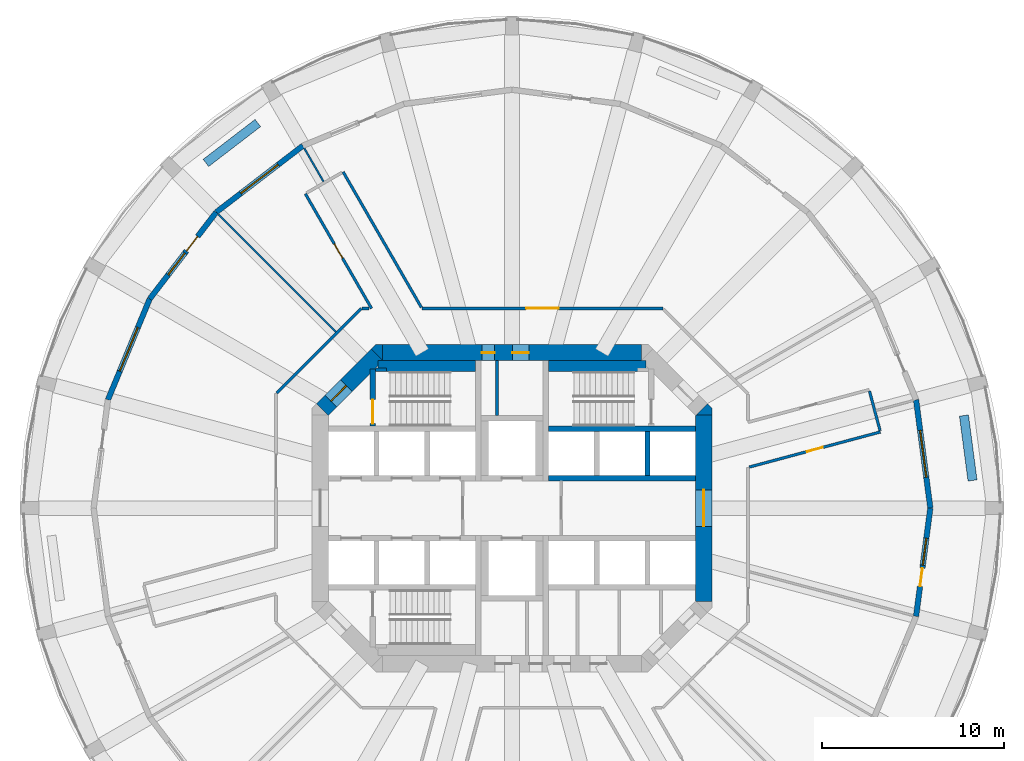
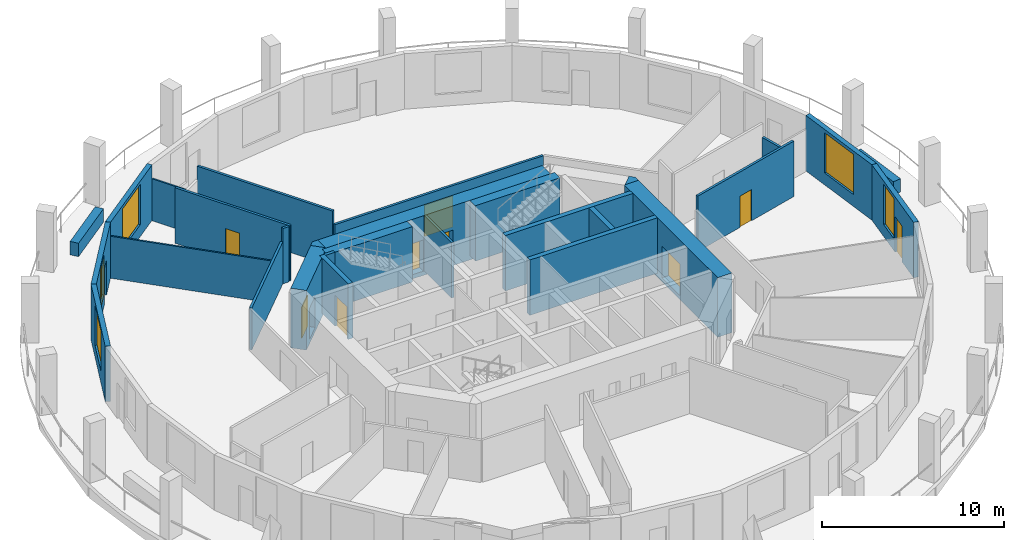
# One storey, part 5 of 9: 29 walls, 10 doors, 5 windows, 15 openings.
"""IFC4 building model written with IfcOpenShell, lengths in metres."""

import ifcopenshell
import ifcopenshell.guid

model = None  # the IFC model being written
_history = None  # IfcOwnerHistory: only IFC2X3 demands one
_inside = {}  # id of a spatial element -> (the spatial element, [elements in it])
_under = {}  # id of a project, library or spatial element -> (it, [spatial elements below it])
_declared = {}  # id of a project -> (the project, [libraries it declares])
_typed = {}  # id of a type object -> (the type object, [elements of that type])
_made_of = {}  # id of a material, layer set ... -> (it, [elements and type objects made of it])


def new_model(schema):
    """Start an empty IFC model of exactly this schema.

    Asked for "IFC4X3", IfcOpenShell would pick the latest addendum, in which some entities
    have other attributes; the version numbers below select the first issue.
    IFC2X3 requires an IfcOwnerHistory on every rooted entity: one is made here for all.
    """
    global model, _history
    if schema == "IFC4X3":
        model = ifcopenshell.file(schema_version=(4, 3, 0, 0))
    else:
        model = ifcopenshell.file(schema=schema)
    _inside.clear()
    _under.clear()
    _declared.clear()
    _typed.clear()
    _made_of.clear()
    _history = None
    if model.schema == "IFC2X3":
        org = make("IfcOrganization", Name="unknown")
        user = make(
            "IfcPersonAndOrganization",
            ThePerson=make("IfcPerson", FamilyName="unknown"),
            TheOrganization=org,
        )
        app = make(
            "IfcApplication",
            ApplicationDeveloper=org,
            Version="unknown",
            ApplicationFullName="unknown",
            ApplicationIdentifier="unknown",
        )
        _history = make(
            "IfcOwnerHistory",
            OwningUser=user,
            OwningApplication=app,
            ChangeAction="ADDED",
            CreationDate=0,
        )
    return model


def make(cls, **values):
    """One entity of the class cls with the attributes given. An attribute that is None is left unset."""
    return model.create_entity(
        cls, **{name: value for name, value in values.items() if value is not None}
    )


def rooted(cls, **values):
    """An entity with a GlobalId (a new one), such as an element, a storey or a relation."""
    return make(cls, GlobalId=ifcopenshell.guid.new(), OwnerHistory=_history, **values)


def si_unit(unit_type, name, prefix=None):
    """IfcSIUnit, for example si_unit("LENGTHUNIT", "METRE", prefix="MILLI")."""
    return make("IfcSIUnit", UnitType=unit_type, Prefix=prefix, Name=name)


def assignment(units):
    """IfcUnitAssignment: the units of a project."""
    return None if units is None else make("IfcUnitAssignment", Units=units)


def point(xyz):
    """IfcCartesianPoint."""
    return None if xyz is None else make("IfcCartesianPoint", Coordinates=xyz)


def direction(xyz):
    """IfcDirection."""
    return None if xyz is None else make("IfcDirection", DirectionRatios=xyz)


def frame(location, z_axis=None, x_axis=None):
    """IfcAxis2Placement3D, a coordinate frame: its origin and axes. An axis left out is left unset."""
    return make(
        "IfcAxis2Placement3D",
        Location=point(location),
        Axis=direction(z_axis),
        RefDirection=direction(x_axis),
    )


def frame_2d(location, x_axis=None):
    """IfcAxis2Placement2D, a coordinate frame in the plane: its origin and x axis."""
    return make(
        "IfcAxis2Placement2D", Location=point(location), RefDirection=direction(x_axis)
    )


def origin():
    """The frame at (0, 0, 0) with its axes left unset."""
    return frame((0.0, 0.0, 0.0))


def place(relative_to, where):
    """IfcLocalPlacement: puts the frame where relative to a parent placement (None: the world)."""
    return make(
        "IfcLocalPlacement", PlacementRelTo=relative_to, RelativePlacement=where
    )


def context(
    kind, dimensions, precision=None, world=None, true_north=None, identifier=None
):
    """IfcGeometricRepresentationContext, for example the 3D "Model" context."""
    return make(
        "IfcGeometricRepresentationContext",
        ContextIdentifier=identifier,
        ContextType=kind,
        CoordinateSpaceDimension=dimensions,
        Precision=precision,
        WorldCoordinateSystem=world,
        TrueNorth=true_north,
    )


def subcontext(parent, identifier, kind, view, scale=None):
    """IfcGeometricRepresentationSubContext, for example "Body" below "Model"."""
    return make(
        "IfcGeometricRepresentationSubContext",
        ContextIdentifier=identifier,
        ContextType=kind,
        ParentContext=parent,
        TargetScale=scale,
        TargetView=view,
    )


def project(units=None, contexts=None):
    """IfcProject with its units and contexts."""
    return rooted(
        "IfcProject",
        Name="project",
        RepresentationContexts=contexts,
        UnitsInContext=assignment(units),
    )


def spatial(cls, under=None, at=None, **own):
    """A site, building, storey or space (cls), placed at a placement, below another one or the project."""
    s = rooted(cls, ObjectPlacement=at, **own)
    if under is not None:
        _under.setdefault(under.id(), (under, []))[1].append(s)
    return s


def polyline(points):
    """IfcPolyline through the points."""
    return make("IfcPolyline", Points=[point(p) for p in points])


def profile(cls, at=None, kind="AREA", **sizes):
    """A parametric profile (cls). Its sizes go by their IFC names, for example OverallWidth=200.0."""
    return make(cls, ProfileType=kind, Position=at, **sizes)


def rectangle(**sizes):
    """IfcRectangleProfileDef."""
    return profile("IfcRectangleProfileDef", **sizes)


def outline(outer, holes=None, kind="AREA"):
    """IfcArbitraryClosedProfileDef: a profile drawn as a closed curve; with holes, ...WithVoids."""
    if holes is None:
        return make("IfcArbitraryClosedProfileDef", ProfileType=kind, OuterCurve=outer)
    return make(
        "IfcArbitraryProfileDefWithVoids",
        ProfileType=kind,
        OuterCurve=outer,
        InnerCurves=holes,
    )


def extrude(swept, where, along, depth):
    """IfcExtrudedAreaSolid: the profile swept, set in the frame where, extruded along a direction by depth."""
    return make(
        "IfcExtrudedAreaSolid",
        SweptArea=swept,
        Position=where,
        ExtrudedDirection=direction(along),
        Depth=depth,
    )


def shape(context_of_items, identifier, shape_type, items):
    """IfcShapeRepresentation: the items that make up one representation, for example the "Body"."""
    return make(
        "IfcShapeRepresentation",
        ContextOfItems=context_of_items,
        RepresentationIdentifier=identifier,
        RepresentationType=shape_type,
        Items=items,
    )


def material(Name=None, Category=None):
    """IfcMaterial."""
    return make("IfcMaterial", Name=Name, Category=Category)


def layer(
    of_material, thickness, ventilated=None, Name=None, Category=None, Priority=None
):
    """IfcMaterialLayer: one layer of a wall or slab, of a material (None: an air gap)."""
    return make(
        "IfcMaterialLayer",
        Material=of_material,
        LayerThickness=thickness,
        IsVentilated=ventilated,
        Name=Name,
        Category=Category,
        Priority=Priority,
    )


def layer_set(layers, Name=None):
    """IfcMaterialLayerSet."""
    return make("IfcMaterialLayerSet", MaterialLayers=layers, LayerSetName=Name)


def made_of(thing, what):
    """Note that an element or type object is made of a material, layer set ...; save() writes the relation."""
    if what is not None:
        _made_of.setdefault(what.id(), (what, []))[1].append(thing)
    return thing


def type_object(cls, material=None, **own):
    """A type object (cls), such as IfcWallType, which elements share."""
    return made_of(rooted(cls, **own), material)


def element(
    cls,
    number,
    at=None,
    inside=None,
    cuts=None,
    type_object=None,
    material=None,
    context=None,
    identifier="Body",
    shape_type=None,
    held_by="IfcProductDefinitionShape",
    body=None,
    shapes=None,
    **own,
):
    """One element of the class cls, such as IfcWall. Its Tag is "e" and its number.

    at: its placement. inside: the storey or other place that contains it. cuts: it is an
    opening in that element (IfcRelVoidsElement). A single representation is given by context,
    identifier, shape_type and body (its items); several are given by shapes. held_by: the class
    of the entity that holds the representations. save() writes the other relations.
    """
    e = rooted(cls, Tag="e%d" % number, ObjectPlacement=at, **own)
    if body is not None:
        shapes = [shape(context, identifier, shape_type, body)]
    if shapes is not None:
        e.Representation = make(held_by, Representations=shapes)
    if inside is not None:
        _inside.setdefault(inside.id(), (inside, []))[1].append(e)
    if cuts is not None:
        rooted(
            "IfcRelVoidsElement", RelatingBuildingElement=cuts, RelatedOpeningElement=e
        )
    if type_object is not None:
        _typed.setdefault(type_object.id(), (type_object, []))[1].append(e)
    return made_of(e, material)


def fill(opening, filler):
    """IfcRelFillsElement: the door or window that sits in an opening."""
    return rooted(
        "IfcRelFillsElement",
        RelatingOpeningElement=opening,
        RelatedBuildingElement=filler,
    )


def aggregate(whole, parts):
    """IfcRelAggregates: a whole, such as a stair, and the parts it consists of."""
    return rooted("IfcRelAggregates", RelatingObject=whole, RelatedObjects=parts)


def save(model, path):
    """Write the relations noted so far, then the file.

    IfcRelAggregates (storeys below a building ...), IfcRelContainedInSpatialStructure (elements
    in a storey), IfcRelDefinesByType, IfcRelAssociatesMaterial and IfcRelDeclares: one each for
    every whole, place, type object, material and project.
    """
    for whole, parts in _under.values():
        aggregate(whole, parts)
    for where, things in _inside.values():
        rooted(
            "IfcRelContainedInSpatialStructure",
            RelatedElements=things,
            RelatingStructure=where,
        )
    for kind, things in _typed.values():
        rooted("IfcRelDefinesByType", RelatedObjects=things, RelatingType=kind)
    for what, things in _made_of.values():
        rooted("IfcRelAssociatesMaterial", RelatedObjects=things, RelatingMaterial=what)
    for by, libraries in _declared.values():
        rooted("IfcRelDeclares", RelatingContext=by, RelatedDefinitions=libraries)
    model.write(path)


model = new_model("IFC4")

# Units and contexts
model_context = context("Model", 3, precision=1e-05, world=origin(), true_north=direction((0.0, 1.0)))
body_context = subcontext(model_context, "Body", "Model", "MODEL_VIEW")
ifc_project = project(units=[si_unit("LENGTHUNIT", "METRE"), si_unit("AREAUNIT", "SQUARE_METRE"), si_unit("VOLUMEUNIT", "CUBIC_METRE"), si_unit("PLANEANGLEUNIT", "RADIAN"), si_unit("MASSUNIT", "GRAM", prefix="KILO")], contexts=[model_context])

# Site, building, storey
site_placement = place(None, origin())
site = spatial("IfcSite", under=ifc_project, at=site_placement, CompositionType="ELEMENT")
building_placement = place(site_placement, origin())
building = spatial("IfcBuilding", under=site, at=building_placement, Name="Torre Triforio", CompositionType="ELEMENT")
storey_placement = place(building_placement, frame((0.0, 0.0, 63.0)))
storey = spatial("IfcBuildingStorey", under=building, at=storey_placement, Name="L13", CompositionType="ELEMENT", Elevation=63.0)

# Wall, openings, doors
ifc_material_1 = material(Name="Concrete C60", Category="concrete")
ifc_layer_1 = layer(ifc_material_1, 0.89990234375)
ifc_layer_set_1 = layer_set([ifc_layer_1], Name="Concrete C60")
wall_type_1 = type_object("IfcWallType", Name="Core wall 900 mm C60 EI 120", PredefinedType="SHEAR", material=ifc_layer_set_1)
wall_1_placement = place(storey_placement, frame((-7.1298828125, 8.550048828125, -0.280029296875), z_axis=(0.0, 0.0, 1.0), x_axis=(1.0, 0.0, 0.0)))
wall_1 = element("IfcWall", 1, at=wall_1_placement, inside=storey, type_object=wall_type_1, Name="Core wall", PredefinedType="SHEAR", context=body_context, shape_type="SweptSolid", body=[
    extrude(rectangle(XDim=14.259765625, YDim=0.89990234375, at=frame_2d((7.1298828125, 0.0))), origin(), (0.0, 0.0, 1.0), 4.0),
])
opening_1_placement = place(wall_1_placement, frame((5.47998046875, 0.0, 0.280029296875)))
opening_1 = element("IfcOpeningElement", 2, at=opening_1_placement, cuts=wall_1, Name="Opening RISER-N", PredefinedType="OPENING", context=body_context, shape_type="SweptSolid", body=[
    extrude(rectangle(XDim=0.699951171875, YDim=2.10009765625, at=frame_2d((0.35009765625, 1.050048828125))), frame((0.0, 0.4599609375, 0.0), z_axis=(0.0, -1.0, 0.0), x_axis=(1.0, 0.0, 0.0)), (0.0, 0.0, 1.0), 0.919921875),
])
opening_2_placement = place(wall_1_placement, frame((7.155029296875, 0.0, 0.280029296875)))
opening_2 = element("IfcOpeningElement", 3, at=opening_2_placement, cuts=wall_1, Name="Opening NE-01", PredefinedType="OPENING", context=body_context, shape_type="SweptSolid", body=[
    extrude(rectangle(XDim=0.89990234375, YDim=2.10009765625, at=frame_2d((0.449951171875, 1.050048828125))), frame((0.0, 0.4599609375, 0.0), z_axis=(0.0, -1.0, 0.0), x_axis=(1.0, 0.0, 0.0)), (0.0, 0.0, 1.0), 0.919921875),
])
ifc_material_2 = material(Name="Hollow metal fire door leaf")
door_type_1 = type_object("IfcDoorType", Name="Riser door 700 x 2100 EI 60", OperationType="NOTDEFINED", PredefinedType="DOOR", material=ifc_material_2)
door_1_placement = place(opening_1_placement, origin())
door_1 = element("IfcDoor", 4, at=door_1_placement, inside=storey, type_object=door_type_1, Name="Core door RISER-N", OperationType="SINGLE_SWING_LEFT", OverallHeight=2.10009765625, OverallWidth=0.699951171875, PredefinedType="DOOR", context=body_context, shape_type="SweptSolid", body=[
    extrude(rectangle(XDim=0.699951171875, YDim=2.10009765625, at=frame_2d((0.35009765625, 1.050048828125))), frame((0.0, 0.02490234375, 0.0), z_axis=(0.0, -1.0, 0.0), x_axis=(1.0, 0.0, 0.0)), (0.0, 0.0, 1.0), 0.050048828125),
])
fill(opening_1, door_1)
door_type_2 = type_object("IfcDoorType", Name="Room door 900 x 2100 EI 60", OperationType="NOTDEFINED", PredefinedType="DOOR", material=ifc_material_2)
door_2_placement = place(opening_2_placement, origin())
door_2 = element("IfcDoor", 5, at=door_2_placement, inside=storey, type_object=door_type_2, Name="Core door NE-01", OperationType="SINGLE_SWING_RIGHT", OverallHeight=2.10009765625, OverallWidth=0.89990234375, PredefinedType="DOOR", context=body_context, shape_type="SweptSolid", body=[
    extrude(rectangle(XDim=0.89990234375, YDim=2.10009765625, at=frame_2d((0.449951171875, 1.050048828125))), frame((0.0, 0.02490234375, 0.0), z_axis=(0.0, -1.0, 0.0), x_axis=(1.0, 0.0, 0.0)), (0.0, 0.0, 1.0), 0.050048828125),
])
fill(opening_2, door_2)

# Wall, opening, door
wall_2_placement = place(storey_placement, frame((10.550048828125, -5.1298828125, -0.280029296875), z_axis=(0.0, 0.0, 1.0), x_axis=(0.0, 1.0, 0.0)))
wall_2 = element("IfcWall", 6, at=wall_2_placement, inside=storey, type_object=wall_type_1, Name="Core wall", PredefinedType="SHEAR", context=body_context, shape_type="SweptSolid", body=[
    extrude(rectangle(XDim=10.259765625, YDim=0.89990234375, at=frame_2d((5.1298828125, 0.0))), origin(), (0.0, 0.0, 1.0), 4.0),
])
opening_3_placement = place(wall_2_placement, frame((4.1298828125, 0.0, 0.280029296875)))
opening_3 = element("IfcOpeningElement", 7, at=opening_3_placement, cuts=wall_2, Name="Opening E-RING", PredefinedType="OPENING", context=body_context, shape_type="SweptSolid", body=[
    extrude(rectangle(XDim=2.0, YDim=2.10009765625, at=frame_2d((1.0, 1.050048828125))), frame((0.0, 0.4599609375, 0.0), z_axis=(0.0, -1.0, 0.0), x_axis=(1.0, 0.0, 0.0)), (0.0, 0.0, 1.0), 0.919921875),
])
door_type_3 = type_object("IfcDoorType", Name="Lobby door 2000 x 2100 EI 60", OperationType="DOUBLE_DOOR_SINGLE_SWING", PredefinedType="DOOR", material=ifc_material_2)
door_3_placement = place(opening_3_placement, origin())
door_3 = element("IfcDoor", 8, at=door_3_placement, inside=storey, type_object=door_type_3, Name="Core door E-RING", OperationType="DOUBLE_DOOR_SINGLE_SWING", OverallHeight=2.10009765625, OverallWidth=2.0, PredefinedType="DOOR", context=body_context, shape_type="SweptSolid", body=[
    extrude(rectangle(XDim=2.0, YDim=2.10009765625, at=frame_2d((1.0, 1.050048828125))), frame((0.0, 0.02490234375, 0.0), z_axis=(0.0, -1.0, 0.0), x_axis=(1.0, 0.0, 0.0)), (0.0, 0.0, 1.0), 0.050048828125),
])
fill(opening_3, door_3)

wall_3_placement = place(storey_placement, frame((-10.418212890625, 5.418212890625, -0.280029296875), z_axis=(0.0, 0.0, 1.0), x_axis=(0.707106781187, 0.707106781187, 0.0)))
wall_3 = element("IfcWall", 9, at=wall_3_placement, inside=storey, type_object=wall_type_1, Name="Core wall", PredefinedType="SHEAR", context=body_context, shape_type="SweptSolid", body=[
    extrude(rectangle(XDim=4.24267578125, YDim=0.89990234375, at=frame_2d((2.121337890625, 0.0))), origin(), (0.0, 0.0, 1.0), 4.0),
])
opening_4_placement = place(wall_3_placement, frame((0.64990234375, 0.0, 0.280029296875)))
opening_4 = element("IfcOpeningElement", 10, at=opening_4_placement, cuts=wall_3, Name="Opening ST1-EXIT", PredefinedType="OPENING", context=body_context, shape_type="SweptSolid", body=[
    extrude(rectangle(XDim=1.199951171875, YDim=2.10009765625, at=frame_2d((0.60009765625, 1.050048828125))), frame((0.0, 0.4599609375, 0.0), z_axis=(0.0, -1.0, 0.0), x_axis=(1.0, 0.0, 0.0)), (0.0, 0.0, 1.0), 0.919921875),
])
door_type_4 = type_object("IfcDoorType", Name="Stair lobby door 1200 x 2100 EI 60", OperationType="NOTDEFINED", PredefinedType="DOOR", material=ifc_material_2)
door_4_placement = place(opening_4_placement, origin())
door_4 = element("IfcDoor", 11, at=door_4_placement, inside=storey, type_object=door_type_4, Name="Core door ST1-EXIT", OperationType="SINGLE_SWING_RIGHT", OverallHeight=2.10009765625, OverallWidth=1.199951171875, PredefinedType="DOOR", context=body_context, shape_type="SweptSolid", body=[
    extrude(rectangle(XDim=1.199951171875, YDim=2.10009765625, at=frame_2d((0.60009765625, 1.050048828125))), frame((0.0, 0.02490234375, 0.0), z_axis=(0.0, -1.0, 0.0), x_axis=(1.0, 0.0, 0.0)), (0.0, 0.0, 1.0), 0.050048828125),
])
fill(opening_4, door_4)

# Walls
wall_4_placement = place(storey_placement, frame((0.0, 0.0, -0.280029296875)))
element("IfcWall", 12, at=wall_4_placement, inside=storey, type_object=wall_type_1, Name="Core wall", PredefinedType="SHEAR", context=body_context, shape_type="SweptSolid", body=[
    extrude(outline(polyline([(11.0, 5.472900390625), (11.0, 5.1298828125), (10.1298828125, 5.1298828125), (10.736328125, 5.736328125), (11.0, 5.472900390625)])), origin(), (0.0, 0.0, 1.0), 4.0),
])
wall_5_placement = place(storey_placement, frame((0.0, 0.0, -0.280029296875)))
element("IfcWall", 13, at=wall_5_placement, inside=storey, type_object=wall_type_1, Name="Core wall", PredefinedType="SHEAR", context=body_context, shape_type="SweptSolid", body=[
    extrude(outline(polyline([(-7.472900390625, 9.0), (-7.1298828125, 9.0), (-7.1298828125, 8.1298828125), (-7.736328125, 8.736328125), (-7.472900390625, 9.0)])), origin(), (0.0, 0.0, 1.0), 4.0),
])
ifc_material_3 = material(Name="Plasterboard on metal studs")
ifc_layer_2 = layer(ifc_material_3, 0.14990234375)
ifc_layer_set_2 = layer_set([ifc_layer_2], Name="Plasterboard on metal studs")
wall_type_2 = type_object("IfcWallType", Name="Corridor and tenancy wall 150 mm EI 60", PredefinedType="PARTITIONING", material=ifc_layer_set_2)
wall_6_placement = place(storey_placement, frame((-12.93798828125, 6.327880859375, 0.0), z_axis=(0.0, 0.0, 1.0), x_axis=(0.707088206597, 0.707125355289, 0.0)))
element("IfcWall", 14, at=wall_6_placement, inside=storey, type_object=wall_type_2, Name="Partition 4", PredefinedType="PARTITIONING", context=body_context, shape_type="SweptSolid", body=[
    extrude(rectangle(XDim=6.572021484375, YDim=0.14990234375, at=frame_2d((3.2861328125, 0.0))), origin(), (0.0, 0.0, 1.0), 2.820068359375),
])
wall_7_placement = place(storey_placement, frame((-8.23828125, 10.97509765625, 0.0), z_axis=(0.0, 0.0, 1.0), x_axis=(1.0, 0.0, 0.0)))
element("IfcWall", 15, at=wall_7_placement, inside=storey, type_object=wall_type_2, Name="Partition 5", PredefinedType="PARTITIONING", context=body_context, shape_type="SweptSolid", body=[
    extrude(rectangle(XDim=0.38623046875, YDim=0.14990234375, at=frame_2d((0.193115234375, 0.0))), origin(), (0.0, 0.0, 1.0), 3.719970703125),
])

# Wall, opening, door
wall_8_placement = place(storey_placement, frame((-7.72216796875, 10.97509765625, 0.0), z_axis=(0.0, 0.0, 1.0), x_axis=(-0.499993290699, 0.866029277366, 0.0)))
wall_8 = element("IfcWall", 16, at=wall_8_placement, inside=storey, type_object=wall_type_2, Name="Partition 6", PredefinedType="PARTITIONING", context=body_context, shape_type="SweptSolid", body=[
    extrude(rectangle(XDim=7.28271484375, YDim=0.14990234375, at=frame_2d((3.641357421875, 0.0))), origin(), (0.0, 0.0, 1.0), 3.719970703125),
])
opening_5_placement = place(wall_8_placement, frame((3.19140625, 0.0, 0.0)))
opening_5 = element("IfcOpeningElement", 17, at=opening_5_placement, cuts=wall_8, Name="Opening N4-12", PredefinedType="OPENING", context=body_context, shape_type="SweptSolid", body=[
    extrude(rectangle(XDim=0.89990234375, YDim=2.10009765625, at=frame_2d((0.449951171875, 1.050048828125))), frame((0.0, 0.0849609375, 0.0), z_axis=(0.0, -1.0, 0.0), x_axis=(1.0, 0.0, 0.0)), (0.0, 0.0, 1.0), 0.169921875),
])
ifc_material_4 = material(Name="Timber", Category="wood")
door_type_5 = type_object("IfcDoorType", Name="Door 900 x 2100 single leaf EI 30", OperationType="NOTDEFINED", PredefinedType="DOOR", material=ifc_material_4)
door_5_placement = place(opening_5_placement, origin())
door_5 = element("IfcDoor", 18, at=door_5_placement, inside=storey, type_object=door_type_5, Name="Door N4-12", OperationType="SINGLE_SWING_LEFT", OverallHeight=2.10009765625, OverallWidth=0.89990234375, PredefinedType="DOOR", context=body_context, shape_type="SweptSolid", body=[
    extrude(rectangle(XDim=0.89990234375, YDim=2.10009765625, at=frame_2d((0.449951171875, 1.050048828125))), frame((0.0, 0.02490234375, 0.0), z_axis=(0.0, -1.0, 0.0), x_axis=(1.0, 0.0, 0.0)), (0.0, 0.0, 1.0), 0.050048828125),
])
fill(opening_5, door_5)

# Wall
wall_9_placement = place(storey_placement, frame((-9.28515625, 18.482421875, 0.0), z_axis=(0.0, 0.0, 1.0), x_axis=(0.49998445949, -0.866034375916, 0.0)))
element("IfcWall", 19, at=wall_9_placement, inside=storey, type_object=wall_type_2, Name="Partition 8", PredefinedType="PARTITIONING", context=body_context, shape_type="SweptSolid", body=[
    extrude(rectangle(XDim=8.603759765625, YDim=0.14990234375, at=frame_2d((4.3017578125, 0.0))), origin(), (0.0, 0.0, 1.0), 3.719970703125),
])

# Wall, opening, door
wall_10_placement = place(storey_placement, frame((-4.95068359375, 10.97509765625, 0.0), z_axis=(0.0, 0.0, 1.0), x_axis=(1.0, 0.0, 0.0)))
wall_10 = element("IfcWall", 20, at=wall_10_placement, inside=storey, type_object=wall_type_2, Name="Partition 9", PredefinedType="PARTITIONING", context=body_context, shape_type="SweptSolid", body=[
    extrude(rectangle(XDim=13.24169921875, YDim=0.14990234375, at=frame_2d((6.620849609375, 0.0))), origin(), (0.0, 0.0, 1.0), 2.820068359375),
])
opening_6_placement = place(wall_10_placement, frame((5.720703125, 0.0, 0.0)))
opening_6 = element("IfcOpeningElement", 21, at=opening_6_placement, cuts=wall_10, Name="Opening N4-11", PredefinedType="OPENING", context=body_context, shape_type="SweptSolid", body=[
    extrude(rectangle(XDim=1.800048828125, YDim=2.10009765625, at=frame_2d((0.89990234375, 1.050048828125))), frame((0.0, 0.0849609375, 0.0), z_axis=(0.0, -1.0, 0.0), x_axis=(1.0, 0.0, 0.0)), (0.0, 0.0, 1.0), 0.169921875),
])
door_type_6 = type_object("IfcDoorType", Name="Door 1800 x 2100 double leaf EI 30", OperationType="DOUBLE_DOOR_SINGLE_SWING", PredefinedType="DOOR", material=ifc_material_4)
door_6_placement = place(opening_6_placement, origin())
door_6 = element("IfcDoor", 22, at=door_6_placement, inside=storey, type_object=door_type_6, Name="Door N4-11", OperationType="DOUBLE_DOOR_SINGLE_SWING", OverallHeight=2.10009765625, OverallWidth=1.800048828125, PredefinedType="DOOR", context=body_context, shape_type="SweptSolid", body=[
    extrude(rectangle(XDim=1.800048828125, YDim=2.10009765625, at=frame_2d((0.89990234375, 1.050048828125))), frame((0.0, 0.02490234375, 0.0), z_axis=(0.0, -1.0, 0.0), x_axis=(1.0, 0.0, 0.0)), (0.0, 0.0, 1.0), 0.050048828125),
])
fill(opening_6, door_6)

# Wall
wall_11_placement = place(storey_placement, frame((19.65380859375, 6.430908203125, 0.0), z_axis=(0.0, 0.0, 1.0), x_axis=(0.258891558609, -0.965906393436, 0.0)))
element("IfcWall", 23, at=wall_11_placement, inside=storey, type_object=wall_type_2, Name="Partition 13", PredefinedType="PARTITIONING", context=body_context, shape_type="SweptSolid", body=[
    extrude(rectangle(XDim=2.25, YDim=0.14990234375, at=frame_2d((1.125, 0.0))), origin(), (0.0, 0.0, 1.0), 2.820068359375),
])

# Wall, opening, door
wall_12_placement = place(storey_placement, frame((20.255615234375, 4.185302734375, 0.0), z_axis=(0.0, 0.0, 1.0), x_axis=(-0.965924840231, -0.258822725092, 0.0)))
wall_12 = element("IfcWall", 24, at=wall_12_placement, inside=storey, type_object=wall_type_2, Name="Partition 14", PredefinedType="PARTITIONING", context=body_context, shape_type="SweptSolid", body=[
    extrude(rectangle(XDim=7.465087890625, YDim=0.14990234375, at=frame_2d((3.732421875, 0.0))), origin(), (0.0, 0.0, 1.0), 3.719970703125),
])
opening_7_placement = place(wall_12_placement, frame((3.282470703125, 0.0, 0.0)))
opening_7 = element("IfcOpeningElement", 25, at=opening_7_placement, cuts=wall_12, Name="Opening N4-09", PredefinedType="OPENING", context=body_context, shape_type="SweptSolid", body=[
    extrude(rectangle(XDim=0.89990234375, YDim=2.10009765625, at=frame_2d((0.449951171875, 1.050048828125))), frame((0.0, 0.0849609375, 0.0), z_axis=(0.0, -1.0, 0.0), x_axis=(1.0, 0.0, 0.0)), (0.0, 0.0, 1.0), 0.169921875),
])
door_7_placement = place(opening_7_placement, origin())
door_7 = element("IfcDoor", 26, at=door_7_placement, inside=storey, type_object=door_type_5, Name="Door N4-09", OperationType="SINGLE_SWING_LEFT", OverallHeight=2.10009765625, OverallWidth=0.89990234375, PredefinedType="DOOR", context=body_context, shape_type="SweptSolid", body=[
    extrude(rectangle(XDim=0.89990234375, YDim=2.10009765625, at=frame_2d((0.449951171875, 1.050048828125))), frame((0.0, 0.02490234375, 0.0), z_axis=(0.0, -1.0, 0.0), x_axis=(1.0, 0.0, 0.0)), (0.0, 0.0, 1.0), 0.050048828125),
])
fill(opening_7, door_7)

# Walls
ifc_layer_3 = layer(ifc_material_3, 0.10009765625)
ifc_layer_set_3 = layer_set([ifc_layer_3], Name="Plasterboard on metal studs")
wall_type_3 = type_object("IfcWallType", Name="Partition 100 mm board on metal studs", PredefinedType="PARTITIONING", material=ifc_layer_set_3)
wall_13_placement = place(storey_placement, frame((-10.36181640625, 17.947265625, 0.0), z_axis=(0.0, 0.0, 1.0), x_axis=(-0.500065834316, 0.865987390988, 0.0)))
element("IfcWall", 27, at=wall_13_placement, inside=storey, type_object=wall_type_3, Name="Partition 31", PredefinedType="PARTITIONING", context=body_context, shape_type="SweptSolid", body=[
    extrude(rectangle(XDim=2.113037109375, YDim=0.10009765625, at=frame_2d((1.056640625, 0.0))), origin(), (0.0, 0.0, 1.0), 2.820068359375),
])
wall_14_placement = place(storey_placement, frame((-9.68603515625, 9.68603515625, 0.0), z_axis=(0.0, 0.0, 1.0), x_axis=(-0.707106781187, 0.707106781187, 0.0)))
element("IfcWall", 28, at=wall_14_placement, inside=storey, type_object=wall_type_3, Name="Partition 32", PredefinedType="PARTITIONING", context=body_context, shape_type="SweptSolid", body=[
    extrude(rectangle(XDim=9.138427734375, YDim=0.10009765625, at=frame_2d((4.5693359375, 0.0))), origin(), (0.0, 0.0, 1.0), 2.820068359375),
])
ifc_material_5 = material(Name="Block and board partition")
ifc_layer_4 = layer(ifc_material_5, 0.14990234375)
ifc_layer_set_4 = layer_set([ifc_layer_4], Name="Block and board partition")
wall_type_4 = type_object("IfcWallType", Name="Partition 150 mm EI 120", PredefinedType="PARTITIONING", material=ifc_layer_set_4)
wall_15_placement = place(storey_placement, frame((-0.824951171875, 5.10009765625, 0.0), z_axis=(0.0, 0.0, 1.0), x_axis=(0.0, 1.0, 0.0)))
element("IfcWall", 29, at=wall_15_placement, inside=storey, type_object=wall_type_4, Name="Partition", PredefinedType="PARTITIONING", context=body_context, shape_type="SweptSolid", body=[
    extrude(rectangle(XDim=3.0, YDim=0.14990234375, at=frame_2d((1.5, 0.0))), origin(), (0.0, 0.0, 1.0), 3.719970703125),
])
ifc_material_6 = material(Name="Limestone cladding", Category="masonry")
ifc_layer_5 = layer(ifc_material_6, 0.10009765625)
ifc_material_7 = material(Name="Concrete C40", Category="concrete")
ifc_layer_6 = layer(ifc_material_7, 0.39990234375)
ifc_layer_set_5 = layer_set([ifc_layer_5, ifc_layer_6], Name="Limestone cladding / Concrete C40")
wall_type_5 = type_object("IfcWallType", Name="Planter wall 500", PredefinedType="PARAPET", material=ifc_layer_set_5)
wall_16_placement = place(storey_placement, frame((25.318603515625, 1.517578125, 0.0), z_axis=(0.0, 0.0, 1.0), x_axis=(-0.130542222659, 0.991442750795, 0.0)))
element("IfcWall", 30, at=wall_16_placement, inside=storey, type_object=wall_type_5, Name="Planter L13 bay 01", PredefinedType="PARAPET", context=body_context, shape_type="SweptSolid", body=[
    extrude(rectangle(XDim=3.60009765625, YDim=0.5, at=frame_2d((1.800048828125, 0.0))), origin(), (0.0, 0.0, 1.0), 0.89990234375),
])
wall_17_placement = place(storey_placement, frame((-13.9736328125, 21.16748046875, 0.0), z_axis=(0.0, 0.0, 1.0), x_axis=(-0.793359599829, -0.608753271334, 0.0)))
element("IfcWall", 31, at=wall_17_placement, inside=storey, type_object=wall_type_5, Name="Planter L13 bay 09", PredefinedType="PARAPET", context=body_context, shape_type="SweptSolid", body=[
    extrude(rectangle(XDim=3.599853515625, YDim=0.5, at=frame_2d((1.7998046875, 0.0))), origin(), (0.0, 0.0, 1.0), 0.89990234375),
])
ifc_layer_7 = layer(ifc_material_1, 0.300048828125)
ifc_layer_set_6 = layer_set([ifc_layer_7], Name="Concrete C60")
wall_type_6 = type_object("IfcWallType", Name="Shaft wall 300 mm C60 EI 120", PredefinedType="SOLIDWALL", material=ifc_layer_set_6)
for number, where, z_axis, x_axis, name in (
    (32, (2.0, 4.35009765625, 0.0), (0.0, 0.0, 1.0), (1.0, 0.0, 0.0), "Shaft wall"),
    (33, (2.0, 1.64990234375, 0.0), (0.0, 0.0, 1.0), (1.0, 0.0, 0.0), "Shaft wall"),
):
    element("IfcWall", number, at=place(storey_placement, frame(where, z_axis=z_axis, x_axis=x_axis)), inside=storey, type_object=wall_type_6, Name=name, PredefinedType="SOLIDWALL", context=body_context, shape_type="SweptSolid", body=[
        extrude(rectangle(XDim=8.10009765625, YDim=0.300048828125, at=frame_2d((4.050048828125, 0.0))), origin(), (0.0, 0.0, 1.0), 3.719970703125),
    ])
wall_18_placement = place(storey_placement, frame((7.449951171875, 1.800048828125, 0.0), z_axis=(0.0, 0.0, 1.0), x_axis=(0.0, 1.0, 0.0)))
element("IfcWall", 34, at=wall_18_placement, inside=storey, type_object=wall_type_6, Name="Shaft wall", PredefinedType="SOLIDWALL", context=body_context, shape_type="SweptSolid", body=[
    extrude(rectangle(XDim=2.39990234375, YDim=0.300048828125, at=frame_2d((1.199951171875, 0.0))), origin(), (0.0, 0.0, 1.0), 3.719970703125),
])
ifc_layer_8 = layer(ifc_material_1, 0.199951171875)
ifc_layer_set_7 = layer_set([ifc_layer_8], Name="Concrete C60")
wall_type_7 = type_object("IfcWallType", Name="Stair wall 200 mm C60 EI 120", PredefinedType="SHEAR", material=ifc_layer_set_7)
wall_19_placement = place(storey_placement, frame((-7.5, 7.60009765625, 0.0), z_axis=(0.0, 0.0, 1.0), x_axis=(1.0, 0.0, 0.0)))
element("IfcWall", 35, at=wall_19_placement, inside=storey, type_object=wall_type_7, Name="Stair wall", PredefinedType="SHEAR", context=body_context, shape_type="SweptSolid", body=[
    extrude(rectangle(XDim=0.60009765625, YDim=0.199951171875, at=frame_2d((0.300048828125, 0.0))), origin(), (0.0, 0.0, 1.0), 3.719970703125),
])

# Wall, opening, door
ifc_layer_9 = layer(ifc_material_1, 0.300048828125)
ifc_layer_set_8 = layer_set([ifc_layer_9], Name="Concrete C60")
wall_type_8 = type_object("IfcWallType", Name="Stair wall 300 mm C60 EI 120", PredefinedType="SHEAR", material=ifc_layer_set_8)
wall_20_placement = place(storey_placement, frame((-7.64990234375, 4.5, 0.0), z_axis=(0.0, 0.0, 1.0), x_axis=(0.0, 1.0, 0.0)))
wall_20 = element("IfcWall", 36, at=wall_20_placement, inside=storey, type_object=wall_type_8, Name="Stair wall", PredefinedType="SHEAR", context=body_context, shape_type="SweptSolid", body=[
    extrude(rectangle(XDim=3.139892578125, YDim=0.300048828125, at=frame_2d((1.56982421875, 0.0))), origin(), (0.0, 0.0, 1.0), 3.719970703125),
])
opening_8_placement = place(wall_20_placement, frame((0.139892578125, 0.0, 0.0)))
opening_8 = element("IfcOpeningElement", 37, at=opening_8_placement, cuts=wall_20, Name="Opening ST1-STA", PredefinedType="OPENING", context=body_context, shape_type="SweptSolid", body=[
    extrude(rectangle(XDim=1.320068359375, YDim=2.10009765625, at=frame_2d((0.66015625, 1.050048828125))), frame((0.0, 0.159912109375, 0.0), z_axis=(0.0, -1.0, 0.0), x_axis=(1.0, 0.0, 0.0)), (0.0, 0.0, 1.0), 0.320068359375),
])
door_type_7 = type_object("IfcDoorType", Name="Stair door 1320 x 2100 EI 90", OperationType="DOUBLE_DOOR_SINGLE_SWING", PredefinedType="DOOR", material=ifc_material_2)
door_8_placement = place(opening_8_placement, origin())
door_8 = element("IfcDoor", 38, at=door_8_placement, inside=storey, type_object=door_type_7, Name="Core door ST1-ST", OperationType="DOUBLE_DOOR_SINGLE_SWING", OverallHeight=2.10009765625, OverallWidth=1.320068359375, PredefinedType="DOOR", context=body_context, shape_type="SweptSolid", body=[
    extrude(rectangle(XDim=1.320068359375, YDim=2.10009765625, at=frame_2d((0.66015625, 1.050048828125))), frame((0.0, 0.02490234375, 0.0), z_axis=(0.0, -1.0, 0.0), x_axis=(1.0, 0.0, 0.0)), (0.0, 0.0, 1.0), 0.050048828125),
])
fill(opening_8, door_8)

# Walls
ifc_layer_10 = layer(ifc_material_1, 0.60009765625)
ifc_layer_set_9 = layer_set([ifc_layer_10], Name="Concrete C60")
wall_type_9 = type_object("IfcWallType", Name="Stair wall 600 mm C60 EI 120", PredefinedType="SHEAR", material=ifc_layer_set_9)
for number, where, z_axis, x_axis, name in (
    (39, (-7.3701171875, 7.800048828125, 0.0), (0.0, 0.0, 1.0), (1.0, 0.0, 0.0), "Stair wall"),
    (40, (2.0, 7.800048828125, 0.0), (0.0, 0.0, 1.0), (1.0, 0.0, 0.0), "Stair wall"),
):
    element("IfcWall", number, at=place(storey_placement, frame(where, z_axis=z_axis, x_axis=x_axis)), inside=storey, type_object=wall_type_9, Name=name, PredefinedType="SHEAR", context=body_context, shape_type="SweptSolid", body=[
        extrude(rectangle(XDim=5.3701171875, YDim=0.60009765625, at=frame_2d((2.68505859375, 0.0))), origin(), (0.0, 0.0, 1.0), 3.719970703125),
    ])

# Wall, opening, window
ifc_layer_11 = layer(ifc_material_6, 0.10009765625)
ifc_layer_12 = layer(ifc_material_7, 0.199951171875)
ifc_layer_set_10 = layer_set([ifc_layer_11, ifc_layer_12], Name="Limestone cladding / Concrete C40")
wall_type_10 = type_object("IfcWallType", Name="Stone-faced composite wall 300", PredefinedType="STANDARD", material=ifc_layer_set_10)
wall_21_placement = place(storey_placement, frame((23.0, 0.0, 0.0), z_axis=(0.0, 0.0, 1.0), x_axis=(-0.130522880875, 0.991445297315, 0.0)))
wall_21 = element("IfcWall", 41, at=wall_21_placement, inside=storey, type_object=wall_type_10, Name="External wall L13 bay 01", PredefinedType="STANDARD", context=body_context, shape_type="SweptSolid", body=[
    extrude(rectangle(XDim=6.004150390625, YDim=0.300048828125, at=frame_2d((3.001953125, 0.0))), origin(), (0.0, 0.0, 1.0), 3.719970703125),
])
opening_9_placement = place(wall_21_placement, frame((1.7021484375, 0.0, 0.800048828125)))
opening_9 = element("IfcOpeningElement", 42, at=opening_9_placement, cuts=wall_21, Name="Opening N4-W01", PredefinedType="OPENING", context=body_context, shape_type="SweptSolid", body=[
    extrude(rectangle(XDim=2.60009765625, YDim=2.699951171875, at=frame_2d((1.300048828125, 1.35009765625))), frame((0.0, 0.159912109375, 0.0), z_axis=(0.0, -1.0, 0.0), x_axis=(1.0, 0.0, 0.0)), (0.0, 0.0, 1.0), 0.320068359375),
])
ifc_material_8 = material(Name="Aluminium frame with clear double glazing", Category="aluminium")
window_type_1 = type_object("IfcWindowType", Name="Punched window 2600 x 2700", PartitioningType="DOUBLE_PANEL_VERTICAL", PredefinedType="WINDOW", material=ifc_material_8)
window_1_placement = place(opening_9_placement, origin())
window_1 = element("IfcWindow", 43, at=window_1_placement, inside=storey, type_object=window_type_1, Name="Window EWN2 L13 bay 01", OverallHeight=2.699951171875, OverallWidth=2.60009765625, PartitioningType="SINGLE_PANEL", PredefinedType="WINDOW", context=body_context, shape_type="SweptSolid", body=[
    extrude(rectangle(XDim=2.60009765625, YDim=2.699951171875, at=frame_2d((1.300048828125, 1.35009765625))), frame((0.0, 0.030029296875, 0.0), z_axis=(0.0, -1.0, 0.0), x_axis=(1.0, 0.0, 0.0)), (0.0, 0.0, 1.0), 0.06005859375),
])
fill(opening_9, window_1)

wall_22_placement = place(storey_placement, frame((-11.5, 19.918701171875, 0.0), z_axis=(0.0, 0.0, 1.0), x_axis=(-0.793339924758, -0.608778912074, 0.0)))
wall_22 = element("IfcWall", 44, at=wall_22_placement, inside=storey, type_object=wall_type_10, Name="External wall L13 bay 09", PredefinedType="STANDARD", context=body_context, shape_type="SweptSolid", body=[
    extrude(rectangle(XDim=6.004150390625, YDim=0.300048828125, at=frame_2d((3.001953125, 0.0))), origin(), (0.0, 0.0, 1.0), 3.719970703125),
])
opening_10_placement = place(wall_22_placement, frame((1.7021484375, 0.0, 0.800048828125)))
opening_10 = element("IfcOpeningElement", 45, at=opening_10_placement, cuts=wall_22, Name="Opening N4-W09", PredefinedType="OPENING", context=body_context, shape_type="SweptSolid", body=[
    extrude(rectangle(XDim=2.60009765625, YDim=2.699951171875, at=frame_2d((1.300048828125, 1.35009765625))), frame((0.0, 0.159912109375, 0.0), z_axis=(0.0, -1.0, 0.0), x_axis=(1.0, 0.0, 0.0)), (0.0, 0.0, 1.0), 0.320068359375),
])
window_2_placement = place(opening_10_placement, origin())
window_2 = element("IfcWindow", 46, at=window_2_placement, inside=storey, type_object=window_type_1, Name="Window EWN2 L13 bay 09", OverallHeight=2.699951171875, OverallWidth=2.60009765625, PartitioningType="SINGLE_PANEL", PredefinedType="WINDOW", context=body_context, shape_type="SweptSolid", body=[
    extrude(rectangle(XDim=2.60009765625, YDim=2.699951171875, at=frame_2d((1.300048828125, 1.35009765625))), frame((0.0, 0.030029296875, 0.0), z_axis=(0.0, -1.0, 0.0), x_axis=(1.0, 0.0, 0.0)), (0.0, 0.0, 1.0), 0.06005859375),
])
fill(opening_10, window_2)

# Wall, openings, door, window
wall_23_placement = place(storey_placement, frame((-16.263427734375, 16.263427734375, 0.0), z_axis=(0.0, 0.0, 1.0), x_axis=(-0.608778912074, -0.793339924758, 0.0)))
wall_23 = element("IfcWall", 47, at=wall_23_placement, inside=storey, type_object=wall_type_10, Name="External wall L13 bay 10", PredefinedType="STANDARD", context=body_context, shape_type="SweptSolid", body=[
    extrude(rectangle(XDim=6.004150390625, YDim=0.300048828125, at=frame_2d((3.001953125, 0.0))), origin(), (0.0, 0.0, 1.0), 3.719970703125),
])
opening_11_placement = place(wall_23_placement, frame((1.677001953125, 0.0, 0.0)))
opening_11 = element("IfcOpeningElement", 48, at=opening_11_placement, cuts=wall_23, Name="Opening N4-D10", PredefinedType="OPENING", context=body_context, shape_type="SweptSolid", body=[
    extrude(rectangle(XDim=1.0, YDim=2.39990234375, at=frame_2d((0.5, 1.199951171875))), frame((0.0, 0.159912109375, 0.0), z_axis=(0.0, -1.0, 0.0), x_axis=(1.0, 0.0, 0.0)), (0.0, 0.0, 1.0), 0.320068359375),
])
opening_12_placement = place(wall_23_placement, frame((2.8271484375, 0.0, 0.800048828125)))
opening_12 = element("IfcOpeningElement", 49, at=opening_12_placement, cuts=wall_23, Name="Opening N4-W10A", PredefinedType="OPENING", context=body_context, shape_type="SweptSolid", body=[
    extrude(rectangle(XDim=1.5, YDim=2.699951171875, at=frame_2d((0.75, 1.35009765625))), frame((0.0, 0.159912109375, 0.0), z_axis=(0.0, -1.0, 0.0), x_axis=(1.0, 0.0, 0.0)), (0.0, 0.0, 1.0), 0.320068359375),
])
door_type_8 = type_object("IfcDoorType", Name="Loggia door 1000 x 2400", OperationType="NOTDEFINED", PredefinedType="DOOR", material=ifc_material_8)
door_9_placement = place(opening_11_placement, origin())
door_9 = element("IfcDoor", 50, at=door_9_placement, inside=storey, type_object=door_type_8, Name="Loggia door L13 bay 10", OperationType="SINGLE_SWING_LEFT", OverallHeight=2.39990234375, OverallWidth=1.0, PredefinedType="DOOR", context=body_context, shape_type="SweptSolid", body=[
    extrude(rectangle(XDim=1.0, YDim=2.39990234375, at=frame_2d((0.5, 1.199951171875))), frame((0.0, 0.02490234375, 0.0), z_axis=(0.0, -1.0, 0.0), x_axis=(1.0, 0.0, 0.0)), (0.0, 0.0, 1.0), 0.050048828125),
])
fill(opening_11, door_9)
window_type_2 = type_object("IfcWindowType", Name="Side window 1500 x 2700", PartitioningType="SINGLE_PANEL", PredefinedType="WINDOW", material=ifc_material_8)
window_3_placement = place(opening_12_placement, origin())
window_3 = element("IfcWindow", 51, at=window_3_placement, inside=storey, type_object=window_type_2, Name="Side window EWN12 L13 bay 10", OverallHeight=2.699951171875, OverallWidth=1.5, PartitioningType="SINGLE_PANEL", PredefinedType="WINDOW", context=body_context, shape_type="SweptSolid", body=[
    extrude(rectangle(XDim=1.5, YDim=2.699951171875, at=frame_2d((0.75, 1.35009765625))), frame((0.0, 0.030029296875, 0.0), z_axis=(0.0, -1.0, 0.0), x_axis=(1.0, 0.0, 0.0)), (0.0, 0.0, 1.0), 0.06005859375),
])
fill(opening_12, window_3)

# Wall, opening, window
wall_24_placement = place(storey_placement, frame((-19.918701171875, 11.5, 0.0), z_axis=(0.0, 0.0, 1.0), x_axis=(-0.382671411433, -0.923884511653, 0.0)))
wall_24 = element("IfcWall", 52, at=wall_24_placement, inside=storey, type_object=wall_type_10, Name="External wall L13 bay 11", PredefinedType="STANDARD", context=body_context, shape_type="SweptSolid", body=[
    extrude(rectangle(XDim=6.004150390625, YDim=0.300048828125, at=frame_2d((3.001953125, 0.0))), origin(), (0.0, 0.0, 1.0), 3.719970703125),
])
opening_13_placement = place(wall_24_placement, frame((1.7021484375, 0.0, 0.800048828125)))
opening_13 = element("IfcOpeningElement", 53, at=opening_13_placement, cuts=wall_24, Name="Opening N4-W11", PredefinedType="OPENING", context=body_context, shape_type="SweptSolid", body=[
    extrude(rectangle(XDim=2.60009765625, YDim=2.699951171875, at=frame_2d((1.300048828125, 1.35009765625))), frame((0.0, 0.159912109375, 0.0), z_axis=(0.0, -1.0, 0.0), x_axis=(1.0, 0.0, 0.0)), (0.0, 0.0, 1.0), 0.320068359375),
])
window_4_placement = place(opening_13_placement, origin())
window_4 = element("IfcWindow", 54, at=window_4_placement, inside=storey, type_object=window_type_1, Name="Window EWN2 L13 bay 11", OverallHeight=2.699951171875, OverallWidth=2.60009765625, PartitioningType="SINGLE_PANEL", PredefinedType="WINDOW", context=body_context, shape_type="SweptSolid", body=[
    extrude(rectangle(XDim=2.60009765625, YDim=2.699951171875, at=frame_2d((1.300048828125, 1.35009765625))), frame((0.0, 0.030029296875, 0.0), z_axis=(0.0, -1.0, 0.0), x_axis=(1.0, 0.0, 0.0)), (0.0, 0.0, 1.0), 0.06005859375),
])
fill(opening_13, window_4)

# Wall, openings, door, window
wall_25_placement = place(storey_placement, frame((22.21630859375, -5.952880859375, 0.0), z_axis=(0.0, 0.0, 1.0), x_axis=(0.130522880875, 0.991445297315, 0.0)))
wall_25 = element("IfcWall", 55, at=wall_25_placement, inside=storey, type_object=wall_type_10, Name="External wall L13 bay 24", PredefinedType="STANDARD", context=body_context, shape_type="SweptSolid", body=[
    extrude(rectangle(XDim=6.004150390625, YDim=0.300048828125, at=frame_2d((3.001953125, 0.0))), origin(), (0.0, 0.0, 1.0), 3.719970703125),
])
opening_14_placement = place(wall_25_placement, frame((1.677001953125, 0.0, 0.0)))
opening_14 = element("IfcOpeningElement", 56, at=opening_14_placement, cuts=wall_25, Name="Opening N4-D24", PredefinedType="OPENING", context=body_context, shape_type="SweptSolid", body=[
    extrude(rectangle(XDim=1.0, YDim=2.39990234375, at=frame_2d((0.5, 1.199951171875))), frame((0.0, 0.159912109375, 0.0), z_axis=(0.0, -1.0, 0.0), x_axis=(1.0, 0.0, 0.0)), (0.0, 0.0, 1.0), 0.320068359375),
])
opening_15_placement = place(wall_25_placement, frame((2.8271484375, 0.0, 0.800048828125)))
opening_15 = element("IfcOpeningElement", 57, at=opening_15_placement, cuts=wall_25, Name="Opening N4-W24A", PredefinedType="OPENING", context=body_context, shape_type="SweptSolid", body=[
    extrude(rectangle(XDim=1.5, YDim=2.699951171875, at=frame_2d((0.75, 1.35009765625))), frame((0.0, 0.159912109375, 0.0), z_axis=(0.0, -1.0, 0.0), x_axis=(1.0, 0.0, 0.0)), (0.0, 0.0, 1.0), 0.320068359375),
])
door_10_placement = place(opening_14_placement, origin())
door_10 = element("IfcDoor", 58, at=door_10_placement, inside=storey, type_object=door_type_8, Name="Loggia door L13 bay 24", OperationType="SINGLE_SWING_LEFT", OverallHeight=2.39990234375, OverallWidth=1.0, PredefinedType="DOOR", context=body_context, shape_type="SweptSolid", body=[
    extrude(rectangle(XDim=1.0, YDim=2.39990234375, at=frame_2d((0.5, 1.199951171875))), frame((0.0, 0.02490234375, 0.0), z_axis=(0.0, -1.0, 0.0), x_axis=(1.0, 0.0, 0.0)), (0.0, 0.0, 1.0), 0.050048828125),
])
fill(opening_14, door_10)
window_5_placement = place(opening_15_placement, origin())
window_5 = element("IfcWindow", 59, at=window_5_placement, inside=storey, type_object=window_type_2, Name="Side window EWN12 L13 bay 24", OverallHeight=2.699951171875, OverallWidth=1.5, PartitioningType="SINGLE_PANEL", PredefinedType="WINDOW", context=body_context, shape_type="SweptSolid", body=[
    extrude(rectangle(XDim=1.5, YDim=2.699951171875, at=frame_2d((0.75, 1.35009765625))), frame((0.0, 0.030029296875, 0.0), z_axis=(0.0, -1.0, 0.0), x_axis=(1.0, 0.0, 0.0)), (0.0, 0.0, 1.0), 0.06005859375),
])
fill(opening_15, window_5)

save(model, "model.ifc")
